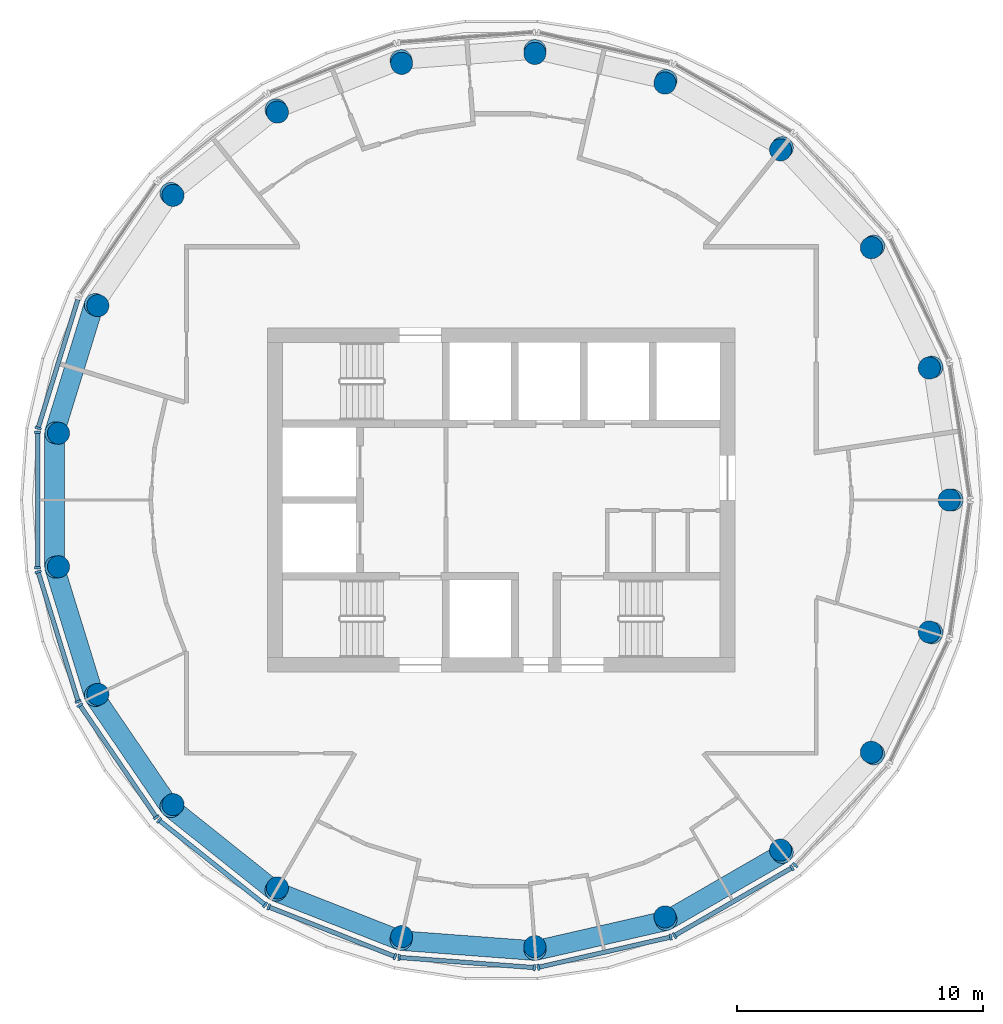
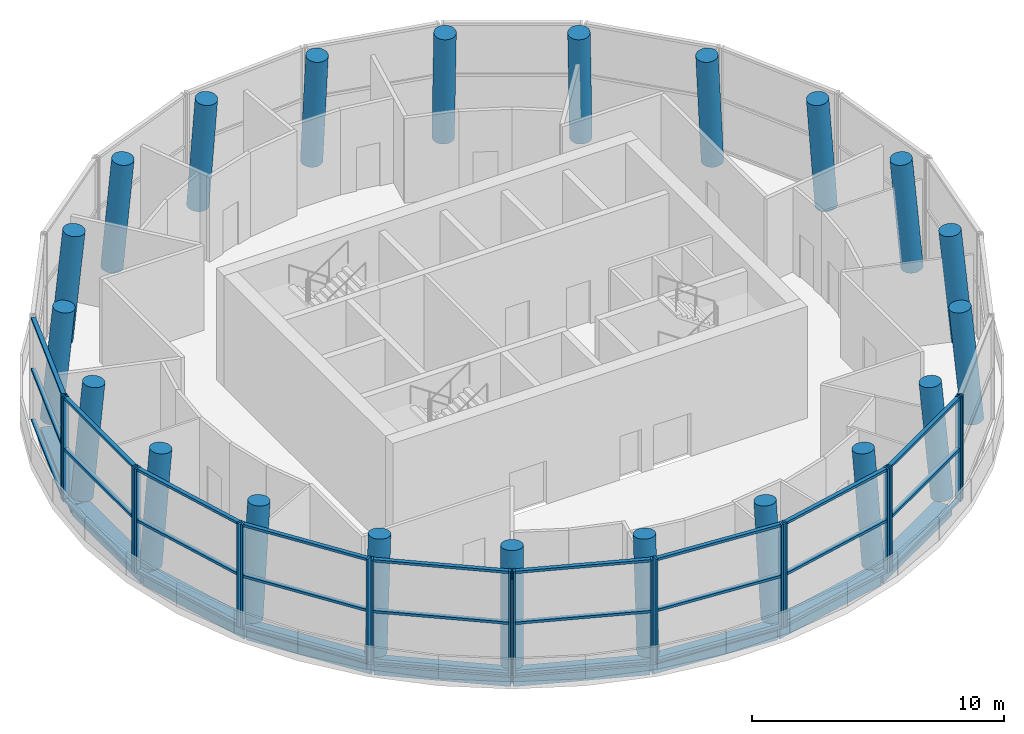
# One storey, part 1 of 10: 45 members, 21 columns, 9 beams, 10 elements without a shape of their own.
"""IFC4 building model written with IfcOpenShell, lengths in metres."""

from ifc_helpers import new_model, si_unit, direction, frame, origin, origin_2d, place, context, subcontext, project, spatial, rectangle, circle, extrude, material, material_profile, profile_set, type_object, element, aggregate, save


model = new_model("IFC4")

# Units and contexts
model_context = context("Model", 3, precision=1e-05, world=origin(), true_north=direction((0.0, 1.0)))
body_context = subcontext(model_context, "Body", "Model", "MODEL_VIEW")
ifc_project = project(units=[si_unit("LENGTHUNIT", "METRE"), si_unit("AREAUNIT", "SQUARE_METRE"), si_unit("VOLUMEUNIT", "CUBIC_METRE"), si_unit("PLANEANGLEUNIT", "RADIAN"), si_unit("MASSUNIT", "GRAM", prefix="KILO")], contexts=[model_context])

# Site, building, storey
site_placement = place(None, origin())
site = spatial("IfcSite", under=ifc_project, at=site_placement, CompositionType="ELEMENT")
building_placement = place(site_placement, origin())
building = spatial("IfcBuilding", under=site, at=building_placement, Name="Tracery Tower", CompositionType="ELEMENT")
storey_placement = place(building_placement, frame((0.0, 0.0, 336.0)))
storey = spatial("IfcBuildingStorey", under=building, at=storey_placement, Name="L87", CompositionType="ELEMENT", Elevation=336.0)

# Columns
ifc_material_1 = material(Name="Concrete C40/50", Category="concrete")
ifc_material_profile_1 = material_profile(ifc_material_1, circle(Radius=0.449951171875, at=origin_2d()), Name="RC D900")
ifc_profile_set_1 = profile_set([ifc_material_profile_1], Name="Concrete C40/50")
column_type = type_object("IfcColumnType", Name="Ring 2 column 900", PredefinedType="COLUMN", material=ifc_profile_set_1)
for number, where, z_axis, x_axis, name in (
    (1, (18.322265625, 0.0, 0.0), (-0.092199863775, 0.0, 0.995740520979), (0.0, -1.0, 0.0), "Ring 2 column 00 at L87"),
    (2, (17.50830078125, 5.400634765625, 0.0), (-0.088103060253, -0.027191746752, 0.995740156709), (0.294909183988, -0.955525286531, 0.0), "Ring 2 column 01 at L87"),
    (3, (15.138427734375, 10.3212890625, 0.0), (-0.076172913024, -0.051952447772, 0.995740242479), (0.563458024042, -0.826144693829, 0.0), "Ring 2 column 02 at L87"),
    (4, (11.423583984375, 14.324951171875, 0.0), (-0.057445007391, -0.072076376828, 0.99574347451), (0.782011192588, -0.623264385848, 0.0), "Ring 2 column 03 at L87"),
    (5, (6.69384765625, 17.0556640625, 0.0), (-0.033674496524, -0.085851958384, 0.995738655233), (0.930947168869, -0.365153897385, 0.0), "Ring 2 column 04 at L87"),
    (6, (1.369140625, 18.27099609375, 0.0), (-0.006887985999, -0.09192985235, 0.995741662228), (0.997204770402, -0.074717105716, 0.0), "Ring 2 column 05 at L87"),
    (7, (-4.0771484375, 17.86279296875, 0.0), (0.020528924848, -0.089859065784, 0.995742894296), (0.974882751199, 0.222718704683, 0.0), "Ring 2 column 06 at L87"),
    (8, (-9.1611328125, 15.867431640625, 0.0), (0.046100034617, -0.079819688844, 0.995742739909), (0.865949687125, 0.500131122175, 0.0), "Ring 2 column 07 at L87"),
    (9, (-13.43115234375, 12.46240234375, 0.0), (0.067574275046, -0.062712168647, 0.995741382717), (0.68024503694, 0.732984781369, 0.0), "Ring 2 column 08 at L87"),
    (10, (-16.5078125, 7.94970703125, 0.0), (0.083105767169, -0.039977205442, 0.995738547264), (0.433492682832, 0.901157086157, 0.0), "Ring 2 column 09 at L87"),
    (11, (-18.11767578125, 2.730712890625, 0.0), (0.091209121569, -0.013730889476, 0.995737093221), (0.148865509774, 0.98885745181, 0.0), "Ring 2 column 10 at L87"),
    (12, (-18.11767578125, -2.730712890625, 0.0), (0.091209121569, 0.013730889476, 0.995737093221), (-0.148865509774, 0.98885745181, 0.0), "Ring 2 column 11 at L87"),
    (13, (-16.5078125, -7.94970703125, 0.0), (0.083105767169, 0.039977205442, 0.995738547264), (-0.433492682832, 0.901157086157, 0.0), "Ring 2 column 12 at L87"),
    (14, (-13.43115234375, -12.46240234375, 0.0), (0.067574275046, 0.062712168647, 0.995741382717), (-0.68024503694, 0.732984781369, 0.0), "Ring 2 column 13 at L87"),
    (15, (-9.1611328125, -15.867431640625, 0.0), (0.046100034617, 0.079819688844, 0.995742739909), (-0.865949687125, 0.500131122175, 0.0), "Ring 2 column 14 at L87"),
    (16, (-4.0771484375, -17.86279296875, 0.0), (0.020528924848, 0.089859065784, 0.995742894296), (-0.974882751199, 0.222718704683, 0.0), "Ring 2 column 15 at L87"),
    (17, (1.369140625, -18.27099609375, 0.0), (-0.006887985999, 0.09192985235, 0.995741662228), (-0.997204770402, -0.074717105716, 0.0), "Ring 2 column 16 at L87"),
    (18, (6.69384765625, -17.0556640625, 0.0), (-0.033674496524, 0.085851958384, 0.995738655233), (-0.930947168869, -0.365153897385, 0.0), "Ring 2 column 17 at L87"),
    (19, (11.423583984375, -14.324951171875, 0.0), (-0.057445007391, 0.072076376828, 0.99574347451), (-0.782011192588, -0.623264385848, 0.0), "Ring 2 column 18 at L87"),
    (20, (15.138427734375, -10.3212890625, 0.0), (-0.076172913024, 0.051952447772, 0.995740242479), (-0.563458024042, -0.826144693829, 0.0), "Ring 2 column 19 at L87"),
    (21, (17.50830078125, -5.400634765625, 0.0), (-0.088103060253, 0.027191746752, 0.995740156709), (-0.294909183988, -0.955525286531, 0.0), "Ring 2 column 20 at L87"),
):
    element("IfcColumn", number, at=place(storey_placement, frame(where, z_axis=z_axis, x_axis=x_axis)), inside=storey, type_object=column_type, Name=name, PredefinedType="COLUMN", context=body_context, shape_type="SweptSolid", body=[
        extrude(circle(Radius=0.449951171875, at=origin_2d()), origin(), (0.0, 0.0, 1.0), 5.423095703125),
    ])

# Curtain wall, member
ifc_material_2 = material(Name="Aluminium curtain wall with tinted glass", Category="aluminium")
curtain_wall_type = type_object("IfcCurtainWallType", Name="Glazed crown lower curtain wall", PredefinedType="NOTDEFINED", material=ifc_material_2)
curtain_wall_1_placement = place(storey_placement, origin())
curtain_wall_1 = element("IfcCurtainWall", 22, at=curtain_wall_1_placement, inside=storey, type_object=curtain_wall_type, Name="Glazed crown lower run 09", PredefinedType="NOTDEFINED")
ifc_material_3 = material(Name="Aluminium, bronze anodised", Category="aluminium")
ifc_material_profile_2 = material_profile(ifc_material_3, rectangle(XDim=0.260009765625, YDim=0.090087890625, at=origin_2d()), Name="Glazed crown lower mullion 90 x 260")
ifc_profile_set_2 = profile_set([ifc_material_profile_2], Name="Aluminium, bronze anodised")
member_type_1 = type_object("IfcMemberType", Name="Glazed crown lower mullion 90 x 260", PredefinedType="MULLION", material=ifc_profile_set_2)
member_1_placement = place(storey_placement, frame((-18.834228515625, 2.923828125, 0.0), z_axis=(0.0, 0.0, 1.0), x_axis=(0.955569692605, -0.294765266906, 0.0)))
member_1 = element("IfcMember", 23, at=member_1_placement, type_object=member_type_1, Name="CWB2 mullion 2", PredefinedType="MULLION", context=body_context, shape_type="SweptSolid", body=[
    extrude(rectangle(XDim=0.260009765625, YDim=0.090087890625, at=origin_2d()), origin(), (0.0, 0.0, 1.0), 5.050048828125),
])

# Curtain wall, members
curtain_wall_2_placement = place(storey_placement, origin())
curtain_wall_2 = element("IfcCurtainWall", 24, at=curtain_wall_2_placement, inside=storey, type_object=curtain_wall_type, Name="Glazed crown lower run 10", PredefinedType="NOTDEFINED")
member_2_placement = place(storey_placement, frame((-18.859130859375, 2.757568359375, 0.0), z_axis=(0.0, 0.0, 1.0), x_axis=(1.0, 0.0, 0.0)))
member_2 = element("IfcMember", 25, at=member_2_placement, type_object=member_type_1, Name="CWB2 mullion 1", PredefinedType="MULLION", context=body_context, shape_type="SweptSolid", body=[
    extrude(rectangle(XDim=0.260009765625, YDim=0.090087890625, at=origin_2d()), origin(), (0.0, 0.0, 1.0), 5.050048828125),
])
member_3_placement = place(storey_placement, frame((-18.859130859375, -2.757568359375, 0.0), z_axis=(0.0, 0.0, 1.0), x_axis=(1.0, 0.0, 0.0)))
member_3 = element("IfcMember", 26, at=member_3_placement, type_object=member_type_1, Name="CWB2 mullion 2", PredefinedType="MULLION", context=body_context, shape_type="SweptSolid", body=[
    extrude(rectangle(XDim=0.260009765625, YDim=0.090087890625, at=origin_2d()), origin(), (0.0, 0.0, 1.0), 5.050048828125),
])

curtain_wall_3_placement = place(storey_placement, origin())
curtain_wall_3 = element("IfcCurtainWall", 27, at=curtain_wall_3_placement, inside=storey, type_object=curtain_wall_type, Name="Glazed crown lower run 11", PredefinedType="NOTDEFINED")
member_4_placement = place(storey_placement, frame((-18.834228515625, -2.923828125, 0.0), z_axis=(0.0, 0.0, 1.0), x_axis=(0.955569692605, 0.294765266906, 0.0)))
member_4 = element("IfcMember", 28, at=member_4_placement, type_object=member_type_1, Name="CWB2 mullion 1", PredefinedType="MULLION", context=body_context, shape_type="SweptSolid", body=[
    extrude(rectangle(XDim=0.260009765625, YDim=0.090087890625, at=origin_2d()), origin(), (0.0, 0.0, 1.0), 5.050048828125),
])
member_5_placement = place(storey_placement, frame((-17.20849609375, -8.19384765625, 0.0), z_axis=(0.0, 0.0, 1.0), x_axis=(0.955569692605, 0.294765266906, 0.0)))
member_5 = element("IfcMember", 29, at=member_5_placement, type_object=member_type_1, Name="CWB2 mullion 2", PredefinedType="MULLION", context=body_context, shape_type="SweptSolid", body=[
    extrude(rectangle(XDim=0.260009765625, YDim=0.090087890625, at=origin_2d()), origin(), (0.0, 0.0, 1.0), 5.050048828125),
])

curtain_wall_4_placement = place(storey_placement, origin())
curtain_wall_4 = element("IfcCurtainWall", 30, at=curtain_wall_4_placement, inside=storey, type_object=curtain_wall_type, Name="Glazed crown lower run 12", PredefinedType="NOTDEFINED")
member_6_placement = place(storey_placement, frame((-17.135498046875, -8.345458984375, 0.0), z_axis=(0.0, 0.0, 1.0), x_axis=(0.826233004573, 0.56332852063, 0.0)))
member_6 = element("IfcMember", 31, at=member_6_placement, type_object=member_type_1, Name="CWB2 mullion 1", PredefinedType="MULLION", context=body_context, shape_type="SweptSolid", body=[
    extrude(rectangle(XDim=0.260009765625, YDim=0.090087890625, at=origin_2d()), origin(), (0.0, 0.0, 1.0), 5.050048828125),
])
member_7_placement = place(storey_placement, frame((-14.02880859375, -12.902099609375, 0.0), z_axis=(0.0, 0.0, 1.0), x_axis=(0.826233004573, 0.56332852063, 0.0)))
member_7 = element("IfcMember", 32, at=member_7_placement, type_object=member_type_1, Name="CWB2 mullion 2", PredefinedType="MULLION", context=body_context, shape_type="SweptSolid", body=[
    extrude(rectangle(XDim=0.260009765625, YDim=0.090087890625, at=origin_2d()), origin(), (0.0, 0.0, 1.0), 5.050048828125),
])

curtain_wall_5_placement = place(storey_placement, origin())
curtain_wall_5 = element("IfcCurtainWall", 33, at=curtain_wall_5_placement, inside=storey, type_object=curtain_wall_type, Name="Glazed crown lower run 13", PredefinedType="NOTDEFINED")
member_8_placement = place(storey_placement, frame((-13.914306640625, -13.025390625, 0.0), z_axis=(0.0, 0.0, 1.0), x_axis=(0.623502028407, 0.781821731965, 0.0)))
member_8 = element("IfcMember", 34, at=member_8_placement, type_object=member_type_1, Name="CWB2 mullion 1", PredefinedType="MULLION", context=body_context, shape_type="SweptSolid", body=[
    extrude(rectangle(XDim=0.260009765625, YDim=0.090087890625, at=origin_2d()), origin(), (0.0, 0.0, 1.0), 5.050048828125),
])
member_9_placement = place(storey_placement, frame((-9.6025390625, -16.464111328125, 0.0), z_axis=(0.0, 0.0, 1.0), x_axis=(0.623502028407, 0.781821731965, 0.0)))
member_9 = element("IfcMember", 35, at=member_9_placement, type_object=member_type_1, Name="CWB2 mullion 2", PredefinedType="MULLION", context=body_context, shape_type="SweptSolid", body=[
    extrude(rectangle(XDim=0.260009765625, YDim=0.090087890625, at=origin_2d()), origin(), (0.0, 0.0, 1.0), 5.050048828125),
])

curtain_wall_6_placement = place(storey_placement, origin())
curtain_wall_6 = element("IfcCurtainWall", 36, at=curtain_wall_6_placement, inside=storey, type_object=curtain_wall_type, Name="Glazed crown lower run 14", PredefinedType="NOTDEFINED")
member_10_placement = place(storey_placement, frame((-9.45703125, -16.548095703125, 0.0), z_axis=(0.0, 0.0, 1.0), x_axis=(0.365341588966, 0.930873527055, 0.0)))
member_10 = element("IfcMember", 37, at=member_10_placement, type_object=member_type_1, Name="CWB2 mullion 1", PredefinedType="MULLION", context=body_context, shape_type="SweptSolid", body=[
    extrude(rectangle(XDim=0.260009765625, YDim=0.090087890625, at=origin_2d()), origin(), (0.0, 0.0, 1.0), 5.050048828125),
])
member_11_placement = place(storey_placement, frame((-4.322998046875, -18.56298828125, 0.0), z_axis=(0.0, 0.0, 1.0), x_axis=(0.365341588966, 0.930873527055, 0.0)))
member_11 = element("IfcMember", 38, at=member_11_placement, type_object=member_type_1, Name="CWB2 mullion 2", PredefinedType="MULLION", context=body_context, shape_type="SweptSolid", body=[
    extrude(rectangle(XDim=0.260009765625, YDim=0.090087890625, at=origin_2d()), origin(), (0.0, 0.0, 1.0), 5.050048828125),
])

curtain_wall_7_placement = place(storey_placement, origin())
curtain_wall_7 = element("IfcCurtainWall", 39, at=curtain_wall_7_placement, inside=storey, type_object=curtain_wall_type, Name="Glazed crown lower run 15", PredefinedType="NOTDEFINED")
member_12_placement = place(storey_placement, frame((-4.1591796875, -18.600341796875, 0.0), z_axis=(0.0, 0.0, 1.0), x_axis=(0.074734507926, 0.997203466362, 0.0)))
member_12 = element("IfcMember", 40, at=member_12_placement, type_object=member_type_1, Name="CWB2 mullion 1", PredefinedType="MULLION", context=body_context, shape_type="SweptSolid", body=[
    extrude(rectangle(XDim=0.260009765625, YDim=0.090087890625, at=origin_2d()), origin(), (0.0, 0.0, 1.0), 5.050048828125),
])
member_13_placement = place(storey_placement, frame((1.340576171875, -19.012451171875, 0.0), z_axis=(0.0, 0.0, 1.0), x_axis=(0.074734507926, 0.997203466362, 0.0)))
member_13 = element("IfcMember", 41, at=member_13_placement, type_object=member_type_1, Name="CWB2 mullion 2", PredefinedType="MULLION", context=body_context, shape_type="SweptSolid", body=[
    extrude(rectangle(XDim=0.260009765625, YDim=0.090087890625, at=origin_2d()), origin(), (0.0, 0.0, 1.0), 5.050048828125),
])

curtain_wall_8_placement = place(storey_placement, origin())
curtain_wall_8 = element("IfcCurtainWall", 42, at=curtain_wall_8_placement, inside=storey, type_object=curtain_wall_type, Name="Glazed crown lower run 16", PredefinedType="NOTDEFINED")
member_14_placement = place(storey_placement, frame((1.508056640625, -19.0, 0.0), z_axis=(0.0, 0.0, 1.0), x_axis=(-0.22252783727, 0.97492633652, 0.0)))
member_14 = element("IfcMember", 43, at=member_14_placement, type_object=member_type_1, Name="CWB2 mullion 1", PredefinedType="MULLION", context=body_context, shape_type="SweptSolid", body=[
    extrude(rectangle(XDim=0.260009765625, YDim=0.090087890625, at=origin_2d()), origin(), (0.0, 0.0, 1.0), 5.050048828125),
])
member_15_placement = place(storey_placement, frame((6.885009765625, -17.772705078125, 0.0), z_axis=(0.0, 0.0, 1.0), x_axis=(-0.22252783727, 0.97492633652, 0.0)))
member_15 = element("IfcMember", 44, at=member_15_placement, type_object=member_type_1, Name="CWB2 mullion 2", PredefinedType="MULLION", context=body_context, shape_type="SweptSolid", body=[
    extrude(rectangle(XDim=0.260009765625, YDim=0.090087890625, at=origin_2d()), origin(), (0.0, 0.0, 1.0), 5.050048828125),
])

curtain_wall_9_placement = place(storey_placement, origin())
curtain_wall_9 = element("IfcCurtainWall", 45, at=curtain_wall_9_placement, inside=storey, type_object=curtain_wall_type, Name="Glazed crown lower run 17", PredefinedType="NOTDEFINED")
member_16_placement = place(storey_placement, frame((7.04150390625, -17.711181640625, 0.0), z_axis=(0.0, 0.0, 1.0), x_axis=(-0.500003522198, 0.866023370233, 0.0)))
member_16 = element("IfcMember", 46, at=member_16_placement, type_object=member_type_1, Name="CWB2 mullion 1", PredefinedType="MULLION", context=body_context, shape_type="SweptSolid", body=[
    extrude(rectangle(XDim=0.260009765625, YDim=0.090087890625, at=origin_2d()), origin(), (0.0, 0.0, 1.0), 5.050048828125),
])
member_17_placement = place(storey_placement, frame((11.817626953125, -14.95361328125, 0.0), z_axis=(0.0, 0.0, 1.0), x_axis=(-0.500003522198, 0.866023370233, 0.0)))
member_17 = element("IfcMember", 47, at=member_17_placement, type_object=member_type_1, Name="CWB2 mullion 2", PredefinedType="MULLION", context=body_context, shape_type="SweptSolid", body=[
    extrude(rectangle(XDim=0.260009765625, YDim=0.090087890625, at=origin_2d()), origin(), (0.0, 0.0, 1.0), 5.050048828125),
])

# Curtain wall, member
curtain_wall_10_placement = place(storey_placement, origin())
curtain_wall_10 = element("IfcCurtainWall", 48, at=curtain_wall_10_placement, inside=storey, type_object=curtain_wall_type, Name="Glazed crown lower run 18", PredefinedType="NOTDEFINED")
member_18_placement = place(storey_placement, frame((11.94921875, -14.848876953125, 0.0), z_axis=(0.0, 0.0, 1.0), x_axis=(-0.733043800123, 0.680181436899, 0.0)))
member_18 = element("IfcMember", 49, at=member_18_placement, type_object=member_type_1, Name="CWB2 mullion 1", PredefinedType="MULLION", context=body_context, shape_type="SweptSolid", body=[
    extrude(rectangle(XDim=0.260009765625, YDim=0.090087890625, at=origin_2d()), origin(), (0.0, 0.0, 1.0), 5.050048828125),
])
aggregate(curtain_wall_10, [member_18])

# Member
ifc_material_4 = material(Name="Aluminium, bronze anodised", Category="aluminium")
ifc_material_profile_3 = material_profile(ifc_material_4, rectangle(XDim=0.179931640625, YDim=0.1201171875, at=origin_2d()), Name="Glazed crown lower transom 120 x 180")
ifc_profile_set_3 = profile_set([ifc_material_profile_3], Name="Aluminium, bronze anodised")
member_type_2 = type_object("IfcMemberType", Name="Glazed crown lower transom 120 x 180", PredefinedType="USERDEFINED", material=ifc_profile_set_3)
member_19_placement = place(storey_placement, frame((-17.2216796875, 8.15087890625, 0.06005859375), z_axis=(-0.294762506537, -0.955570544094, 0.0), x_axis=(0.955570544094, -0.294762506537, 0.0)))
member_19 = element("IfcMember", 50, at=member_19_placement, type_object=member_type_2, Name="CWB2 transom 1.1", ObjectType="TRANSOM", PredefinedType="USERDEFINED", context=body_context, shape_type="SweptSolid", body=[
    extrude(rectangle(XDim=0.179931640625, YDim=0.1201171875, at=origin_2d()), origin(), (0.0, 0.0, 1.0), 5.425048828125),
])

member_20_placement = place(storey_placement, frame((-17.2216796875, 8.15087890625, 2.52490234375), z_axis=(-0.294762506537, -0.955570544094, 0.0), x_axis=(0.955570544094, -0.294762506537, 0.0)))
member_20 = element("IfcMember", 51, at=member_20_placement, type_object=member_type_2, Name="CWB2 transom 1.2", ObjectType="TRANSOM", PredefinedType="USERDEFINED", context=body_context, shape_type="SweptSolid", body=[
    extrude(rectangle(XDim=0.179931640625, YDim=0.1201171875, at=origin_2d()), origin(), (0.0, 0.0, 1.0), 5.425048828125),
])

member_21_placement = place(storey_placement, frame((-17.2216796875, 8.15087890625, 4.989990234375), z_axis=(-0.294762506537, -0.955570544094, 0.0), x_axis=(0.955570544094, -0.294762506537, 0.0)))
member_21 = element("IfcMember", 52, at=member_21_placement, type_object=member_type_2, Name="CWB2 transom 1.3", ObjectType="TRANSOM", PredefinedType="USERDEFINED", context=body_context, shape_type="SweptSolid", body=[
    extrude(rectangle(XDim=0.179931640625, YDim=0.1201171875, at=origin_2d()), origin(), (0.0, 0.0, 1.0), 5.425048828125),
])

aggregate(curtain_wall_1, [member_1, member_19, member_20, member_21])

member_22_placement = place(storey_placement, frame((-18.859130859375, 2.712646484375, 0.06005859375), z_axis=(0.0, -1.0, 0.0), x_axis=(1.0, 0.0, 0.0)))
member_22 = element("IfcMember", 53, at=member_22_placement, type_object=member_type_2, Name="CWB2 transom 1.1", ObjectType="TRANSOM", PredefinedType="USERDEFINED", context=body_context, shape_type="SweptSolid", body=[
    extrude(rectangle(XDim=0.179931640625, YDim=0.1201171875, at=origin_2d()), origin(), (0.0, 0.0, 1.0), 5.42529296875),
])

member_23_placement = place(storey_placement, frame((-18.859130859375, 2.712646484375, 2.52490234375), z_axis=(0.0, -1.0, 0.0), x_axis=(1.0, 0.0, 0.0)))
member_23 = element("IfcMember", 54, at=member_23_placement, type_object=member_type_2, Name="CWB2 transom 1.2", ObjectType="TRANSOM", PredefinedType="USERDEFINED", context=body_context, shape_type="SweptSolid", body=[
    extrude(rectangle(XDim=0.179931640625, YDim=0.1201171875, at=origin_2d()), origin(), (0.0, 0.0, 1.0), 5.42529296875),
])

member_24_placement = place(storey_placement, frame((-18.859130859375, 2.712646484375, 4.989990234375), z_axis=(0.0, -1.0, 0.0), x_axis=(1.0, 0.0, 0.0)))
member_24 = element("IfcMember", 55, at=member_24_placement, type_object=member_type_2, Name="CWB2 transom 1.3", ObjectType="TRANSOM", PredefinedType="USERDEFINED", context=body_context, shape_type="SweptSolid", body=[
    extrude(rectangle(XDim=0.179931640625, YDim=0.1201171875, at=origin_2d()), origin(), (0.0, 0.0, 1.0), 5.42529296875),
])

aggregate(curtain_wall_2, [member_2, member_3, member_22, member_23, member_24])

member_25_placement = place(storey_placement, frame((-18.82080078125, -2.966796875, 0.06005859375), z_axis=(0.294762506537, -0.955570544094, 0.0), x_axis=(0.955570544094, 0.294762506537, 0.0)))
member_25 = element("IfcMember", 56, at=member_25_placement, type_object=member_type_2, Name="CWB2 transom 1.1", ObjectType="TRANSOM", PredefinedType="USERDEFINED", context=body_context, shape_type="SweptSolid", body=[
    extrude(rectangle(XDim=0.179931640625, YDim=0.1201171875, at=origin_2d()), origin(), (0.0, 0.0, 1.0), 5.425048828125),
])

member_26_placement = place(storey_placement, frame((-18.82080078125, -2.966796875, 2.52490234375), z_axis=(0.294762506537, -0.955570544094, 0.0), x_axis=(0.955570544094, 0.294762506537, 0.0)))
member_26 = element("IfcMember", 57, at=member_26_placement, type_object=member_type_2, Name="CWB2 transom 1.2", ObjectType="TRANSOM", PredefinedType="USERDEFINED", context=body_context, shape_type="SweptSolid", body=[
    extrude(rectangle(XDim=0.179931640625, YDim=0.1201171875, at=origin_2d()), origin(), (0.0, 0.0, 1.0), 5.425048828125),
])

member_27_placement = place(storey_placement, frame((-18.82080078125, -2.966796875, 4.989990234375), z_axis=(0.294762506537, -0.955570544094, 0.0), x_axis=(0.955570544094, 0.294762506537, 0.0)))
member_27 = element("IfcMember", 58, at=member_27_placement, type_object=member_type_2, Name="CWB2 transom 1.3", ObjectType="TRANSOM", PredefinedType="USERDEFINED", context=body_context, shape_type="SweptSolid", body=[
    extrude(rectangle(XDim=0.179931640625, YDim=0.1201171875, at=origin_2d()), origin(), (0.0, 0.0, 1.0), 5.425048828125),
])

aggregate(curtain_wall_3, [member_4, member_5, member_25, member_26, member_27])

member_28_placement = place(storey_placement, frame((-17.110107421875, -8.382568359375, 0.06005859375), z_axis=(0.563300517154, -0.826252096744, 0.0), x_axis=(0.826252096744, 0.563300517154, 0.0)))
member_28 = element("IfcMember", 59, at=member_28_placement, type_object=member_type_2, Name="CWB2 transom 1.1", ObjectType="TRANSOM", PredefinedType="USERDEFINED", context=body_context, shape_type="SweptSolid", body=[
    extrude(rectangle(XDim=0.179931640625, YDim=0.1201171875, at=origin_2d()), origin(), (0.0, 0.0, 1.0), 5.425048828125),
])

member_29_placement = place(storey_placement, frame((-17.110107421875, -8.382568359375, 2.52490234375), z_axis=(0.563300517154, -0.826252096744, 0.0), x_axis=(0.826252096744, 0.563300517154, 0.0)))
member_29 = element("IfcMember", 60, at=member_29_placement, type_object=member_type_2, Name="CWB2 transom 1.2", ObjectType="TRANSOM", PredefinedType="USERDEFINED", context=body_context, shape_type="SweptSolid", body=[
    extrude(rectangle(XDim=0.179931640625, YDim=0.1201171875, at=origin_2d()), origin(), (0.0, 0.0, 1.0), 5.425048828125),
])

member_30_placement = place(storey_placement, frame((-17.110107421875, -8.382568359375, 4.989990234375), z_axis=(0.563300517154, -0.826252096744, 0.0), x_axis=(0.826252096744, 0.563300517154, 0.0)))
member_30 = element("IfcMember", 61, at=member_30_placement, type_object=member_type_2, Name="CWB2 transom 1.3", ObjectType="TRANSOM", PredefinedType="USERDEFINED", context=body_context, shape_type="SweptSolid", body=[
    extrude(rectangle(XDim=0.179931640625, YDim=0.1201171875, at=origin_2d()), origin(), (0.0, 0.0, 1.0), 5.425048828125),
])

aggregate(curtain_wall_4, [member_6, member_7, member_28, member_29, member_30])

member_31_placement = place(storey_placement, frame((-13.879150390625, -13.053466796875, 0.06005859375), z_axis=(0.781820627655, -0.623503413121, 0.0), x_axis=(0.623503413121, 0.781820627655, 0.0)))
member_31 = element("IfcMember", 62, at=member_31_placement, type_object=member_type_2, Name="CWB2 transom 1.1", ObjectType="TRANSOM", PredefinedType="USERDEFINED", context=body_context, shape_type="SweptSolid", body=[
    extrude(rectangle(XDim=0.179931640625, YDim=0.1201171875, at=origin_2d()), origin(), (0.0, 0.0, 1.0), 5.425048828125),
])

member_32_placement = place(storey_placement, frame((-13.879150390625, -13.053466796875, 2.52490234375), z_axis=(0.781820627655, -0.623503413121, 0.0), x_axis=(0.623503413121, 0.781820627655, 0.0)))
member_32 = element("IfcMember", 63, at=member_32_placement, type_object=member_type_2, Name="CWB2 transom 1.2", ObjectType="TRANSOM", PredefinedType="USERDEFINED", context=body_context, shape_type="SweptSolid", body=[
    extrude(rectangle(XDim=0.179931640625, YDim=0.1201171875, at=origin_2d()), origin(), (0.0, 0.0, 1.0), 5.425048828125),
])

member_33_placement = place(storey_placement, frame((-13.879150390625, -13.053466796875, 4.989990234375), z_axis=(0.781820627655, -0.623503413121, 0.0), x_axis=(0.623503413121, 0.781820627655, 0.0)))
member_33 = element("IfcMember", 64, at=member_33_placement, type_object=member_type_2, Name="CWB2 transom 1.3", ObjectType="TRANSOM", PredefinedType="USERDEFINED", context=body_context, shape_type="SweptSolid", body=[
    extrude(rectangle(XDim=0.179931640625, YDim=0.1201171875, at=origin_2d()), origin(), (0.0, 0.0, 1.0), 5.425048828125),
])

aggregate(curtain_wall_5, [member_8, member_9, member_31, member_32, member_33])

member_34_placement = place(storey_placement, frame((-9.4150390625, -16.564453125, 0.06005859375), z_axis=(0.930862488146, -0.365369714347, 0.0), x_axis=(0.365369714347, 0.930862488146, 0.0)))
member_34 = element("IfcMember", 65, at=member_34_placement, type_object=member_type_2, Name="CWB2 transom 1.1", ObjectType="TRANSOM", PredefinedType="USERDEFINED", context=body_context, shape_type="SweptSolid", body=[
    extrude(rectangle(XDim=0.179931640625, YDim=0.1201171875, at=origin_2d()), origin(), (0.0, 0.0, 1.0), 5.425048828125),
])

member_35_placement = place(storey_placement, frame((-9.4150390625, -16.564453125, 2.52490234375), z_axis=(0.930862488146, -0.365369714347, 0.0), x_axis=(0.365369714347, 0.930862488146, 0.0)))
member_35 = element("IfcMember", 66, at=member_35_placement, type_object=member_type_2, Name="CWB2 transom 1.2", ObjectType="TRANSOM", PredefinedType="USERDEFINED", context=body_context, shape_type="SweptSolid", body=[
    extrude(rectangle(XDim=0.179931640625, YDim=0.1201171875, at=origin_2d()), origin(), (0.0, 0.0, 1.0), 5.425048828125),
])

member_36_placement = place(storey_placement, frame((-9.4150390625, -16.564453125, 4.989990234375), z_axis=(0.930862488146, -0.365369714347, 0.0), x_axis=(0.365369714347, 0.930862488146, 0.0)))
member_36 = element("IfcMember", 67, at=member_36_placement, type_object=member_type_2, Name="CWB2 transom 1.3", ObjectType="TRANSOM", PredefinedType="USERDEFINED", context=body_context, shape_type="SweptSolid", body=[
    extrude(rectangle(XDim=0.179931640625, YDim=0.1201171875, at=origin_2d()), origin(), (0.0, 0.0, 1.0), 5.425048828125),
])

aggregate(curtain_wall_6, [member_10, member_11, member_34, member_35, member_36])

member_37_placement = place(storey_placement, frame((-4.1142578125, -18.603759765625, 0.06005859375), z_axis=(0.99720241359, -0.07474855404, 0.0), x_axis=(0.07474855404, 0.99720241359, 0.0)))
member_37 = element("IfcMember", 68, at=member_37_placement, type_object=member_type_2, Name="CWB2 transom 1.1", ObjectType="TRANSOM", PredefinedType="USERDEFINED", context=body_context, shape_type="SweptSolid", body=[
    extrude(rectangle(XDim=0.179931640625, YDim=0.1201171875, at=origin_2d()), origin(), (0.0, 0.0, 1.0), 5.425048828125),
])

member_38_placement = place(storey_placement, frame((-4.1142578125, -18.603759765625, 2.52490234375), z_axis=(0.99720241359, -0.07474855404, 0.0), x_axis=(0.07474855404, 0.99720241359, 0.0)))
member_38 = element("IfcMember", 69, at=member_38_placement, type_object=member_type_2, Name="CWB2 transom 1.2", ObjectType="TRANSOM", PredefinedType="USERDEFINED", context=body_context, shape_type="SweptSolid", body=[
    extrude(rectangle(XDim=0.179931640625, YDim=0.1201171875, at=origin_2d()), origin(), (0.0, 0.0, 1.0), 5.425048828125),
])

member_39_placement = place(storey_placement, frame((-4.1142578125, -18.603759765625, 4.989990234375), z_axis=(0.99720241359, -0.07474855404, 0.0), x_axis=(0.07474855404, 0.99720241359, 0.0)))
member_39 = element("IfcMember", 70, at=member_39_placement, type_object=member_type_2, Name="CWB2 transom 1.3", ObjectType="TRANSOM", PredefinedType="USERDEFINED", context=body_context, shape_type="SweptSolid", body=[
    extrude(rectangle(XDim=0.179931640625, YDim=0.1201171875, at=origin_2d()), origin(), (0.0, 0.0, 1.0), 5.425048828125),
])

aggregate(curtain_wall_7, [member_12, member_13, member_37, member_38, member_39])

member_40_placement = place(storey_placement, frame((1.552001953125, -18.989990234375, 0.06005859375), z_axis=(0.974924657435, 0.222535193455, 0.0), x_axis=(-0.222535193455, 0.974924657435, 0.0)))
member_40 = element("IfcMember", 71, at=member_40_placement, type_object=member_type_2, Name="CWB2 transom 1.1", ObjectType="TRANSOM", PredefinedType="USERDEFINED", context=body_context, shape_type="SweptSolid", body=[
    extrude(rectangle(XDim=0.179931640625, YDim=0.1201171875, at=origin_2d()), origin(), (0.0, 0.0, 1.0), 5.425048828125),
])

member_41_placement = place(storey_placement, frame((1.552001953125, -18.989990234375, 2.52490234375), z_axis=(0.974924657435, 0.222535193455, 0.0), x_axis=(-0.222535193455, 0.974924657435, 0.0)))
member_41 = element("IfcMember", 72, at=member_41_placement, type_object=member_type_2, Name="CWB2 transom 1.2", ObjectType="TRANSOM", PredefinedType="USERDEFINED", context=body_context, shape_type="SweptSolid", body=[
    extrude(rectangle(XDim=0.179931640625, YDim=0.1201171875, at=origin_2d()), origin(), (0.0, 0.0, 1.0), 5.425048828125),
])

member_42_placement = place(storey_placement, frame((1.552001953125, -18.989990234375, 4.989990234375), z_axis=(0.974924657435, 0.222535193455, 0.0), x_axis=(-0.222535193455, 0.974924657435, 0.0)))
member_42 = element("IfcMember", 73, at=member_42_placement, type_object=member_type_2, Name="CWB2 transom 1.3", ObjectType="TRANSOM", PredefinedType="USERDEFINED", context=body_context, shape_type="SweptSolid", body=[
    extrude(rectangle(XDim=0.179931640625, YDim=0.1201171875, at=origin_2d()), origin(), (0.0, 0.0, 1.0), 5.425048828125),
])

aggregate(curtain_wall_8, [member_14, member_15, member_40, member_41, member_42])

member_43_placement = place(storey_placement, frame((7.080322265625, -17.688720703125, 0.06005859375), z_axis=(0.866046953215, 0.499962673433, 0.0), x_axis=(-0.499962673433, 0.866046953215, 0.0)))
member_43 = element("IfcMember", 74, at=member_43_placement, type_object=member_type_2, Name="CWB2 transom 1.1", ObjectType="TRANSOM", PredefinedType="USERDEFINED", context=body_context, shape_type="SweptSolid", body=[
    extrude(rectangle(XDim=0.179931640625, YDim=0.1201171875, at=origin_2d()), origin(), (0.0, 0.0, 1.0), 5.42529296875),
])

member_44_placement = place(storey_placement, frame((7.080322265625, -17.688720703125, 2.52490234375), z_axis=(0.866046953215, 0.499962673433, 0.0), x_axis=(-0.499962673433, 0.866046953215, 0.0)))
member_44 = element("IfcMember", 75, at=member_44_placement, type_object=member_type_2, Name="CWB2 transom 1.2", ObjectType="TRANSOM", PredefinedType="USERDEFINED", context=body_context, shape_type="SweptSolid", body=[
    extrude(rectangle(XDim=0.179931640625, YDim=0.1201171875, at=origin_2d()), origin(), (0.0, 0.0, 1.0), 5.42529296875),
])

member_45_placement = place(storey_placement, frame((7.080322265625, -17.688720703125, 4.989990234375), z_axis=(0.866046953215, 0.499962673433, 0.0), x_axis=(-0.499962673433, 0.866046953215, 0.0)))
member_45 = element("IfcMember", 76, at=member_45_placement, type_object=member_type_2, Name="CWB2 transom 1.3", ObjectType="TRANSOM", PredefinedType="USERDEFINED", context=body_context, shape_type="SweptSolid", body=[
    extrude(rectangle(XDim=0.179931640625, YDim=0.1201171875, at=origin_2d()), origin(), (0.0, 0.0, 1.0), 5.42529296875),
])

aggregate(curtain_wall_9, [member_16, member_17, member_43, member_44, member_45])

# Beams
ifc_material_5 = material(Name="Concrete C40/50", Category="concrete")
ifc_material_profile_4 = material_profile(ifc_material_5, rectangle(XDim=0.800048828125, YDim=0.449951171875, at=origin_2d()), Name="RC 800x450")
ifc_profile_set_4 = profile_set([ifc_material_profile_4], Name="Concrete C40/50")
beam_type = type_object("IfcBeamType", Name="Perimeter band beam 800x450", PredefinedType="BEAM", material=ifc_profile_set_4)
for number, where, z_axis, x_axis, name in (
    (77, (-16.5556640625, 7.972900390625, -0.574951171875), (-0.294752907708, -0.955573504968, 0.0), (0.955573504968, -0.294752907708, 0.0), "Perimeter beam 2.09 under L87"),
    (78, (-18.170166015625, 2.73876953125, -0.574951171875), (0.0, -1.0, 0.0), (1.0, 0.0, 0.0), "Perimeter beam 2.10 under L87"),
    (79, (-18.170166015625, -2.73876953125, -0.574951171875), (0.294752907708, -0.955573504968, 0.0), (0.955573504968, 0.294752907708, 0.0), "Perimeter beam 2.11 under L87"),
):
    element("IfcBeam", number, at=place(storey_placement, frame(where, z_axis=z_axis, x_axis=x_axis)), inside=storey, type_object=beam_type, Name=name, PredefinedType="BEAM", context=body_context, shape_type="SweptSolid", body=[
        extrude(rectangle(XDim=0.800048828125, YDim=0.449951171875, at=origin_2d()), origin(), (0.0, 0.0, 1.0), 5.4775390625),
    ])
for number, where, z_axis, x_axis, name in (
    (80, (-16.5556640625, -7.972900390625, -0.574951171875), (0.563310545917, -0.826245259508, 0.0), (0.826245259508, 0.563310545917, 0.0), "Perimeter beam 2.12 under L87"),
    (81, (-13.47021484375, -12.49853515625, -0.574951171875), (0.781841927017, -0.623476704584, 0.0), (0.623476704584, 0.781841927017, 0.0), "Perimeter beam 2.13 under L87"),
):
    element("IfcBeam", number, at=place(storey_placement, frame(where, z_axis=z_axis, x_axis=x_axis)), inside=storey, type_object=beam_type, Name=name, PredefinedType="BEAM", context=body_context, shape_type="SweptSolid", body=[
        extrude(rectangle(XDim=0.800048828125, YDim=0.449951171875, at=origin_2d()), origin(), (0.0, 0.0, 1.0), 5.477294921875),
    ])
for number, where, z_axis, x_axis, name in (
    (82, (-9.187744140625, -15.91357421875, -0.574951171875), (0.930870087636, -0.365350352327, 0.0), (0.365350352327, 0.930870087636, 0.0), "Perimeter beam 2.14 under L87"),
    (83, (-4.0888671875, -17.914794921875, -0.574951171875), (0.997202550026, -0.074746733849, 0.0), (0.074746733849, 0.997202550026, 0.0), "Perimeter beam 2.15 under L87"),
    (84, (1.373291015625, -18.32421875, -0.574951171875), (0.974921815333, 0.222547644308, 0.0), (-0.222547644308, 0.974921815333, 0.0), "Perimeter beam 2.16 under L87"),
):
    element("IfcBeam", number, at=place(storey_placement, frame(where, z_axis=z_axis, x_axis=x_axis)), inside=storey, type_object=beam_type, Name=name, PredefinedType="BEAM", context=body_context, shape_type="SweptSolid", body=[
        extrude(rectangle(XDim=0.800048828125, YDim=0.449951171875, at=origin_2d()), origin(), (0.0, 0.0, 1.0), 5.4775390625),
    ])
beam_placement = place(storey_placement, frame((6.71337890625, -17.105224609375, -0.574951171875), z_axis=(0.866012633735, 0.500022117723, 0.0), x_axis=(-0.500022117723, 0.866012633735, 0.0)))
element("IfcBeam", 85, at=beam_placement, inside=storey, type_object=beam_type, Name="Perimeter beam 2.17 under L87", PredefinedType="BEAM", context=body_context, shape_type="SweptSolid", body=[
    extrude(rectangle(XDim=0.800048828125, YDim=0.449951171875, at=origin_2d()), origin(), (0.0, 0.0, 1.0), 5.477294921875),
])

save(model, "model.ifc")
